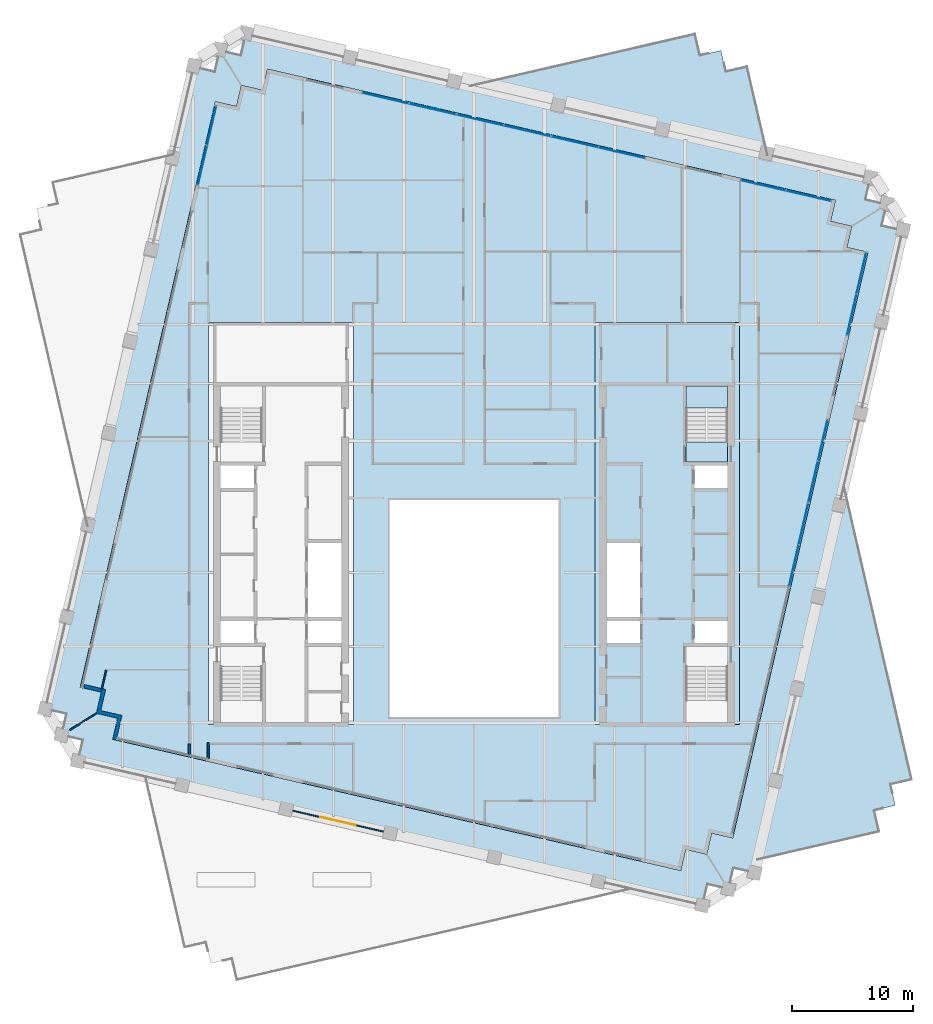
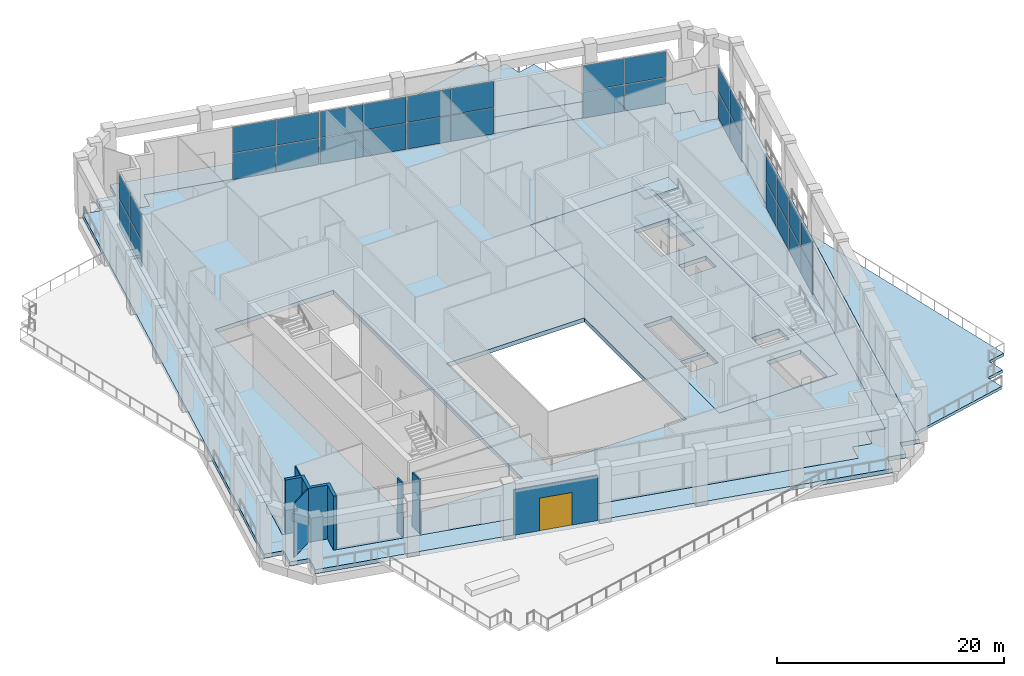
# One storey, part 11 of 21: 32 plates, 8 slabs, 6 walls, 1 door, 1 opening, 9 elements without a shape of their own.
"""IFC4 building model written with IfcOpenShell, lengths in metres."""

from ifc_helpers import new_model, si_unit, direction, frame, frame_2d, origin, origin_2d, place, context, subcontext, project, spatial, polyline, rectangle, outline, extrude, material, layer, layer_set, type_object, element, fill, aggregate, save


model = new_model("IFC4")

# Units and contexts
model_context = context("Model", 3, precision=1e-05, world=origin(), true_north=direction((0.0, 1.0)))
body_context = subcontext(model_context, "Body", "Model", "MODEL_VIEW")
ifc_project = project(units=[si_unit("LENGTHUNIT", "METRE"), si_unit("AREAUNIT", "SQUARE_METRE"), si_unit("VOLUMEUNIT", "CUBIC_METRE"), si_unit("PLANEANGLEUNIT", "RADIAN"), si_unit("MASSUNIT", "GRAM", prefix="KILO")], contexts=[model_context])

# Site, building, storey
site_placement = place(None, origin())
site = spatial("IfcSite", under=ifc_project, at=site_placement, CompositionType="ELEMENT")
building_placement = place(site_placement, origin())
building = spatial("IfcBuilding", under=site, at=building_placement, Name="Ogive Exchange Tower", CompositionType="ELEMENT")
storey_placement = place(building_placement, frame((0.0, 0.0, 237.0)))
storey = spatial("IfcBuildingStorey", under=building, at=storey_placement, Name="L51", CompositionType="ELEMENT", Elevation=237.0)

# Slab
ifc_material_1 = material(Name="Concrete C70/85", Category="concrete")
ifc_layer_1 = layer(ifc_material_1, 0.449951171875)
ifc_layer_set_1 = layer_set([ifc_layer_1], Name="Core floor slab 450")
slab_type_1 = type_object("IfcSlabType", Name="Core floor slab 450", PredefinedType="FLOOR", material=ifc_layer_set_1)
slab_1_placement = place(storey_placement, frame((0.0, 0.0, -0.449951171875)))
element("IfcSlab", 1, at=slab_1_placement, inside=storey, type_object=slab_type_1, Name="Core floor slab", PredefinedType="FLOOR", context=body_context, shape_type="SweptSolid", body=[
    extrude(outline(polyline([(10.0, -2.60009765625), (10.0, 30.699951171875), (22.0, 30.699951171875), (22.0, -2.60009765625), (10.0, -2.60009765625)]), holes=[polyline([(21.0, 2.196044921875), (17.550048828125, 2.196044921875), (17.550048828125, -2.449951171875), (21.0, -2.449951171875), (21.0, 2.196044921875)]), polyline([(13.75, 5.992919921875), (11.0, 5.992919921875), (11.0, 4.14990234375), (13.75, 4.14990234375), (13.75, 5.992919921875)]), polyline([(21.0, 5.992919921875), (18.25, 5.992919921875), (18.25, 4.14990234375), (21.0, 4.14990234375), (21.0, 5.992919921875)]), polyline([(11.0, 12.42138671875), (11.0, 6.29296875), (13.75, 6.29296875), (13.75, 12.42138671875), (11.0, 12.42138671875)]), polyline([(21.0, 18.85009765625), (18.25, 18.85009765625), (18.25, 17.007080078125), (21.0, 17.007080078125), (21.0, 18.85009765625)]), polyline([(17.550048828125, 25.449951171875), (17.550048828125, 20.803955078125), (21.0, 20.803955078125), (21.0, 25.449951171875), (17.550048828125, 25.449951171875)])]), origin(), (0.0, 0.0, 1.0), 0.449951171875),
])

# Curtain wall, plates
ifc_material_2 = material(Name="Anodised aluminium and clear glass", Category="aluminium")
curtain_wall_type = type_object("IfcCurtainWallType", Name="Winter garden glazing", PredefinedType="NOTDEFINED", material=ifc_material_2)
curtain_wall_1_placement = place(storey_placement, origin())
curtain_wall_1 = element("IfcCurtainWall", 2, at=curtain_wall_1_placement, inside=storey, type_object=curtain_wall_type, Name="Winter garden glazing run G10", PredefinedType="NOTDEFINED")
ifc_material_3 = material(Name="Clear glass", Category="glass")
ifc_layer_2 = layer(ifc_material_3, 0.035888671875)
ifc_layer_set_2 = layer_set([ifc_layer_2], Name="Laminated clear glass panel 36")
plate_type = type_object("IfcPlateType", Name="Laminated clear glass panel 36", PredefinedType="CURTAIN_PANEL", material=ifc_layer_set_2)
plate_1_placement = place(storey_placement, frame((26.4970703125, 10.577880859375, 0.080078125), z_axis=(0.0, 0.0, 1.0), x_axis=(0.224957031035, 0.974368684938, 0.0)))
plate_1 = element("IfcPlate", 3, at=plate_1_placement, type_object=plate_type, Name="G10 panel 1.1", PredefinedType="CURTAIN_PANEL", context=body_context, shape_type="SweptSolid", body=[
    extrude(rectangle(XDim=3.43701171875, YDim=0.035888671875, at=origin_2d()), origin(), (0.0, 0.0, 1.0), 2.780029296875),
])
plate_2_placement = place(storey_placement, frame((26.4970703125, 10.577880859375, 2.93994140625), z_axis=(0.0, 0.0, 1.0), x_axis=(0.224957031035, 0.974368684938, 0.0)))
plate_2 = element("IfcPlate", 4, at=plate_2_placement, type_object=plate_type, Name="G10 panel 1.2", PredefinedType="CURTAIN_PANEL", context=body_context, shape_type="SweptSolid", body=[
    extrude(rectangle(XDim=3.43701171875, YDim=0.035888671875, at=origin_2d()), origin(), (0.0, 0.0, 1.0), 2.780029296875),
])
plate_3_placement = place(storey_placement, frame((27.2880859375, 14.0048828125, 0.080078125), z_axis=(0.0, 0.0, 1.0), x_axis=(0.224957031035, 0.974368684938, 0.0)))
plate_3 = element("IfcPlate", 5, at=plate_3_placement, type_object=plate_type, Name="G10 panel 2.1", PredefinedType="CURTAIN_PANEL", context=body_context, shape_type="SweptSolid", body=[
    extrude(rectangle(XDim=3.43701171875, YDim=0.035888671875, at=origin_2d()), origin(), (0.0, 0.0, 1.0), 2.780029296875),
])
plate_4_placement = place(storey_placement, frame((27.2880859375, 14.0048828125, 2.93994140625), z_axis=(0.0, 0.0, 1.0), x_axis=(0.224957031035, 0.974368684938, 0.0)))
plate_4 = element("IfcPlate", 6, at=plate_4_placement, type_object=plate_type, Name="G10 panel 2.2", PredefinedType="CURTAIN_PANEL", context=body_context, shape_type="SweptSolid", body=[
    extrude(rectangle(XDim=3.43701171875, YDim=0.035888671875, at=origin_2d()), origin(), (0.0, 0.0, 1.0), 2.780029296875),
])
aggregate(curtain_wall_1, [plate_1, plate_2, plate_3, plate_4])

curtain_wall_2_placement = place(storey_placement, origin())
curtain_wall_2 = element("IfcCurtainWall", 7, at=curtain_wall_2_placement, inside=storey, type_object=curtain_wall_type, Name="Winter garden glazing run G11", PredefinedType="NOTDEFINED")
plate_5_placement = place(storey_placement, frame((28.097412109375, 17.509765625, 0.080078125), z_axis=(0.0, 0.0, 1.0), x_axis=(0.224953950051, 0.974369396254, 0.0)))
plate_5 = element("IfcPlate", 8, at=plate_5_placement, type_object=plate_type, Name="G11 panel 1.1", PredefinedType="CURTAIN_PANEL", context=body_context, shape_type="SweptSolid", body=[
    extrude(rectangle(XDim=3.437255859375, YDim=0.035888671875, at=origin_2d()), origin(), (0.0, 0.0, 1.0), 2.780029296875),
])
plate_6_placement = place(storey_placement, frame((28.097412109375, 17.509765625, 2.93994140625), z_axis=(0.0, 0.0, 1.0), x_axis=(0.224953950051, 0.974369396254, 0.0)))
plate_6 = element("IfcPlate", 9, at=plate_6_placement, type_object=plate_type, Name="G11 panel 1.2", PredefinedType="CURTAIN_PANEL", context=body_context, shape_type="SweptSolid", body=[
    extrude(rectangle(XDim=3.437255859375, YDim=0.035888671875, at=origin_2d()), origin(), (0.0, 0.0, 1.0), 2.780029296875),
])
plate_7_placement = place(storey_placement, frame((28.888671875, 20.936767578125, 0.080078125), z_axis=(0.0, 0.0, 1.0), x_axis=(0.224953950051, 0.974369396254, 0.0)))
plate_7 = element("IfcPlate", 10, at=plate_7_placement, type_object=plate_type, Name="G11 panel 2.1", PredefinedType="CURTAIN_PANEL", context=body_context, shape_type="SweptSolid", body=[
    extrude(rectangle(XDim=3.437255859375, YDim=0.035888671875, at=origin_2d()), origin(), (0.0, 0.0, 1.0), 2.780029296875),
])
plate_8_placement = place(storey_placement, frame((28.888671875, 20.936767578125, 2.93994140625), z_axis=(0.0, 0.0, 1.0), x_axis=(0.224953950051, 0.974369396254, 0.0)))
plate_8 = element("IfcPlate", 11, at=plate_8_placement, type_object=plate_type, Name="G11 panel 2.2", PredefinedType="CURTAIN_PANEL", context=body_context, shape_type="SweptSolid", body=[
    extrude(rectangle(XDim=3.437255859375, YDim=0.035888671875, at=origin_2d()), origin(), (0.0, 0.0, 1.0), 2.780029296875),
])
aggregate(curtain_wall_2, [plate_5, plate_6, plate_7, plate_8])

curtain_wall_3_placement = place(storey_placement, origin())
curtain_wall_3 = element("IfcCurtainWall", 12, at=curtain_wall_3_placement, inside=storey, type_object=curtain_wall_type, Name="Winter garden glazing run G13", PredefinedType="NOTDEFINED")
plate_9_placement = place(storey_placement, frame((31.298095703125, 31.373779296875, 0.080078125), z_axis=(0.0, 0.0, 1.0), x_axis=(0.224953950051, 0.974369396254, 0.0)))
plate_9 = element("IfcPlate", 13, at=plate_9_placement, type_object=plate_type, Name="G13 panel 1.1", PredefinedType="CURTAIN_PANEL", context=body_context, shape_type="SweptSolid", body=[
    extrude(rectangle(XDim=3.437255859375, YDim=0.035888671875, at=origin_2d()), origin(), (0.0, 0.0, 1.0), 2.780029296875),
])
plate_10_placement = place(storey_placement, frame((31.298095703125, 31.373779296875, 2.93994140625), z_axis=(0.0, 0.0, 1.0), x_axis=(0.224953950051, 0.974369396254, 0.0)))
plate_10 = element("IfcPlate", 14, at=plate_10_placement, type_object=plate_type, Name="G13 panel 1.2", PredefinedType="CURTAIN_PANEL", context=body_context, shape_type="SweptSolid", body=[
    extrude(rectangle(XDim=3.437255859375, YDim=0.035888671875, at=origin_2d()), origin(), (0.0, 0.0, 1.0), 2.780029296875),
])
plate_11_placement = place(storey_placement, frame((32.08935546875, 34.80078125, 0.080078125), z_axis=(0.0, 0.0, 1.0), x_axis=(0.224953950051, 0.974369396254, 0.0)))
plate_11 = element("IfcPlate", 15, at=plate_11_placement, type_object=plate_type, Name="G13 panel 2.1", PredefinedType="CURTAIN_PANEL", context=body_context, shape_type="SweptSolid", body=[
    extrude(rectangle(XDim=3.437255859375, YDim=0.035888671875, at=origin_2d()), origin(), (0.0, 0.0, 1.0), 2.780029296875),
])
plate_12_placement = place(storey_placement, frame((32.08935546875, 34.80078125, 2.93994140625), z_axis=(0.0, 0.0, 1.0), x_axis=(0.224953950051, 0.974369396254, 0.0)))
plate_12 = element("IfcPlate", 16, at=plate_12_placement, type_object=plate_type, Name="G13 panel 2.2", PredefinedType="CURTAIN_PANEL", context=body_context, shape_type="SweptSolid", body=[
    extrude(rectangle(XDim=3.437255859375, YDim=0.035888671875, at=origin_2d()), origin(), (0.0, 0.0, 1.0), 2.780029296875),
])
aggregate(curtain_wall_3, [plate_9, plate_10, plate_11, plate_12])

curtain_wall_4_placement = place(storey_placement, origin())
curtain_wall_4 = element("IfcCurtainWall", 17, at=curtain_wall_4_placement, inside=storey, type_object=curtain_wall_type, Name="Winter garden glazing run G14", PredefinedType="NOTDEFINED")
plate_13_placement = place(storey_placement, frame((27.708740234375, 41.19873046875, 0.080078125), z_axis=(0.0, 0.0, 1.0), x_axis=(-0.974369444232, 0.224953742238, 0.0)))
plate_13 = element("IfcPlate", 18, at=plate_13_placement, type_object=plate_type, Name="G14 panel 1.1", PredefinedType="CURTAIN_PANEL", context=body_context, shape_type="SweptSolid", body=[
    extrude(rectangle(XDim=3.755126953125, YDim=0.035888671875, at=origin_2d()), origin(), (0.0, 0.0, 1.0), 2.780029296875),
])
plate_14_placement = place(storey_placement, frame((27.708740234375, 41.19873046875, 2.93994140625), z_axis=(0.0, 0.0, 1.0), x_axis=(-0.974369444232, 0.224953742238, 0.0)))
plate_14 = element("IfcPlate", 19, at=plate_14_placement, type_object=plate_type, Name="G14 panel 1.2", PredefinedType="CURTAIN_PANEL", context=body_context, shape_type="SweptSolid", body=[
    extrude(rectangle(XDim=3.755126953125, YDim=0.035888671875, at=origin_2d()), origin(), (0.0, 0.0, 1.0), 2.780029296875),
])
plate_15_placement = place(storey_placement, frame((23.971923828125, 42.061279296875, 0.080078125), z_axis=(0.0, 0.0, 1.0), x_axis=(-0.974369444232, 0.224953742238, 0.0)))
plate_15 = element("IfcPlate", 20, at=plate_15_placement, type_object=plate_type, Name="G14 panel 2.1", PredefinedType="CURTAIN_PANEL", context=body_context, shape_type="SweptSolid", body=[
    extrude(rectangle(XDim=3.755126953125, YDim=0.035888671875, at=origin_2d()), origin(), (0.0, 0.0, 1.0), 2.780029296875),
])
plate_16_placement = place(storey_placement, frame((23.971923828125, 42.061279296875, 2.93994140625), z_axis=(0.0, 0.0, 1.0), x_axis=(-0.974369444232, 0.224953742238, 0.0)))
plate_16 = element("IfcPlate", 21, at=plate_16_placement, type_object=plate_type, Name="G14 panel 2.2", PredefinedType="CURTAIN_PANEL", context=body_context, shape_type="SweptSolid", body=[
    extrude(rectangle(XDim=3.755126953125, YDim=0.035888671875, at=origin_2d()), origin(), (0.0, 0.0, 1.0), 2.780029296875),
])
aggregate(curtain_wall_4, [plate_13, plate_14, plate_15, plate_16])

curtain_wall_5_placement = place(storey_placement, origin())
curtain_wall_5 = element("IfcCurtainWall", 22, at=curtain_wall_5_placement, inside=storey, type_object=curtain_wall_type, Name="Winter garden glazing run G16", PredefinedType="NOTDEFINED")
plate_17_placement = place(storey_placement, frame((12.24072265625, 44.769775390625, 0.080078125), z_axis=(0.0, 0.0, 1.0), x_axis=(-0.974368369632, 0.224958396731, 0.0)))
plate_17 = element("IfcPlate", 23, at=plate_17_placement, type_object=plate_type, Name="G16 panel 1.1", PredefinedType="CURTAIN_PANEL", context=body_context, shape_type="SweptSolid", body=[
    extrude(rectangle(XDim=3.905029296875, YDim=0.035888671875, at=origin_2d()), origin(), (0.0, 0.0, 1.0), 2.780029296875),
])
plate_18_placement = place(storey_placement, frame((12.24072265625, 44.769775390625, 2.93994140625), z_axis=(0.0, 0.0, 1.0), x_axis=(-0.974368369632, 0.224958396731, 0.0)))
plate_18 = element("IfcPlate", 24, at=plate_18_placement, type_object=plate_type, Name="G16 panel 1.2", PredefinedType="CURTAIN_PANEL", context=body_context, shape_type="SweptSolid", body=[
    extrude(rectangle(XDim=3.905029296875, YDim=0.035888671875, at=origin_2d()), origin(), (0.0, 0.0, 1.0), 2.780029296875),
])
plate_19_placement = place(storey_placement, frame((8.357666015625, 45.666259765625, 0.080078125), z_axis=(0.0, 0.0, 1.0), x_axis=(-0.974368369632, 0.224958396731, 0.0)))
plate_19 = element("IfcPlate", 25, at=plate_19_placement, type_object=plate_type, Name="G16 panel 2.1", PredefinedType="CURTAIN_PANEL", context=body_context, shape_type="SweptSolid", body=[
    extrude(rectangle(XDim=3.905029296875, YDim=0.035888671875, at=origin_2d()), origin(), (0.0, 0.0, 1.0), 2.780029296875),
])
plate_20_placement = place(storey_placement, frame((8.357666015625, 45.666259765625, 2.93994140625), z_axis=(0.0, 0.0, 1.0), x_axis=(-0.974368369632, 0.224958396731, 0.0)))
plate_20 = element("IfcPlate", 26, at=plate_20_placement, type_object=plate_type, Name="G16 panel 2.2", PredefinedType="CURTAIN_PANEL", context=body_context, shape_type="SweptSolid", body=[
    extrude(rectangle(XDim=3.905029296875, YDim=0.035888671875, at=origin_2d()), origin(), (0.0, 0.0, 1.0), 2.780029296875),
])
aggregate(curtain_wall_5, [plate_17, plate_18, plate_19, plate_20])

curtain_wall_6_placement = place(storey_placement, origin())
curtain_wall_6 = element("IfcCurtainWall", 27, at=curtain_wall_6_placement, inside=storey, type_object=curtain_wall_type, Name="Winter garden glazing run G17", PredefinedType="NOTDEFINED")
plate_21_placement = place(storey_placement, frame((4.39697265625, 46.58056640625, 0.080078125), z_axis=(0.0, 0.0, 1.0), x_axis=(-0.974371721058, 0.224943880116, 0.0)))
plate_21 = element("IfcPlate", 28, at=plate_21_placement, type_object=plate_type, Name="G17 panel 1.1", PredefinedType="CURTAIN_PANEL", context=body_context, shape_type="SweptSolid", body=[
    extrude(rectangle(XDim=3.905029296875, YDim=0.035888671875, at=origin_2d()), origin(), (0.0, 0.0, 1.0), 2.780029296875),
])
plate_22_placement = place(storey_placement, frame((4.39697265625, 46.58056640625, 2.93994140625), z_axis=(0.0, 0.0, 1.0), x_axis=(-0.974371721058, 0.224943880116, 0.0)))
plate_22 = element("IfcPlate", 29, at=plate_22_placement, type_object=plate_type, Name="G17 panel 1.2", PredefinedType="CURTAIN_PANEL", context=body_context, shape_type="SweptSolid", body=[
    extrude(rectangle(XDim=3.905029296875, YDim=0.035888671875, at=origin_2d()), origin(), (0.0, 0.0, 1.0), 2.780029296875),
])
plate_23_placement = place(storey_placement, frame((0.51416015625, 47.47705078125, 0.080078125), z_axis=(0.0, 0.0, 1.0), x_axis=(-0.974371721058, 0.224943880116, 0.0)))
plate_23 = element("IfcPlate", 30, at=plate_23_placement, type_object=plate_type, Name="G17 panel 2.1", PredefinedType="CURTAIN_PANEL", context=body_context, shape_type="SweptSolid", body=[
    extrude(rectangle(XDim=3.905029296875, YDim=0.035888671875, at=origin_2d()), origin(), (0.0, 0.0, 1.0), 2.780029296875),
])
plate_24_placement = place(storey_placement, frame((0.51416015625, 47.47705078125, 2.93994140625), z_axis=(0.0, 0.0, 1.0), x_axis=(-0.974371721058, 0.224943880116, 0.0)))
plate_24 = element("IfcPlate", 31, at=plate_24_placement, type_object=plate_type, Name="G17 panel 2.2", PredefinedType="CURTAIN_PANEL", context=body_context, shape_type="SweptSolid", body=[
    extrude(rectangle(XDim=3.905029296875, YDim=0.035888671875, at=origin_2d()), origin(), (0.0, 0.0, 1.0), 2.780029296875),
])
aggregate(curtain_wall_6, [plate_21, plate_22, plate_23, plate_24])

curtain_wall_7_placement = place(storey_placement, origin())
curtain_wall_7 = element("IfcCurtainWall", 32, at=curtain_wall_7_placement, inside=storey, type_object=curtain_wall_type, Name="Winter garden glazing run G18", PredefinedType="NOTDEFINED")
plate_25_placement = place(storey_placement, frame((-3.44677734375, 48.391357421875, 0.080078125), z_axis=(0.0, 0.0, 1.0), x_axis=(-0.974368998279, 0.224955673842, 0.0)))
plate_25 = element("IfcPlate", 33, at=plate_25_placement, type_object=plate_type, Name="G18 panel 1.1", PredefinedType="CURTAIN_PANEL", context=body_context, shape_type="SweptSolid", body=[
    extrude(rectangle(XDim=3.905029296875, YDim=0.035888671875, at=origin_2d()), origin(), (0.0, 0.0, 1.0), 2.780029296875),
])
plate_26_placement = place(storey_placement, frame((-3.44677734375, 48.391357421875, 2.93994140625), z_axis=(0.0, 0.0, 1.0), x_axis=(-0.974368998279, 0.224955673842, 0.0)))
plate_26 = element("IfcPlate", 34, at=plate_26_placement, type_object=plate_type, Name="G18 panel 1.2", PredefinedType="CURTAIN_PANEL", context=body_context, shape_type="SweptSolid", body=[
    extrude(rectangle(XDim=3.905029296875, YDim=0.035888671875, at=origin_2d()), origin(), (0.0, 0.0, 1.0), 2.780029296875),
])
plate_27_placement = place(storey_placement, frame((-7.32958984375, 49.287841796875, 0.080078125), z_axis=(0.0, 0.0, 1.0), x_axis=(-0.974368998279, 0.224955673842, 0.0)))
plate_27 = element("IfcPlate", 35, at=plate_27_placement, type_object=plate_type, Name="G18 panel 2.1", PredefinedType="CURTAIN_PANEL", context=body_context, shape_type="SweptSolid", body=[
    extrude(rectangle(XDim=3.905029296875, YDim=0.035888671875, at=origin_2d()), origin(), (0.0, 0.0, 1.0), 2.780029296875),
])
plate_28_placement = place(storey_placement, frame((-7.32958984375, 49.287841796875, 2.93994140625), z_axis=(0.0, 0.0, 1.0), x_axis=(-0.974368998279, 0.224955673842, 0.0)))
plate_28 = element("IfcPlate", 36, at=plate_28_placement, type_object=plate_type, Name="G18 panel 2.2", PredefinedType="CURTAIN_PANEL", context=body_context, shape_type="SweptSolid", body=[
    extrude(rectangle(XDim=3.905029296875, YDim=0.035888671875, at=origin_2d()), origin(), (0.0, 0.0, 1.0), 2.780029296875),
])
aggregate(curtain_wall_7, [plate_25, plate_26, plate_27, plate_28])

curtain_wall_8_placement = place(storey_placement, origin())
curtain_wall_8 = element("IfcCurtainWall", 37, at=curtain_wall_8_placement, inside=storey, type_object=curtain_wall_type, Name="Winter garden glazing run G20", PredefinedType="NOTDEFINED")
plate_29_placement = place(storey_placement, frame((-21.74658203125, 46.998779296875, 0.080078125), z_axis=(0.0, 0.0, 1.0), x_axis=(-0.224951677306, -0.974369920963, 0.0)))
plate_29 = element("IfcPlate", 38, at=plate_29_placement, type_object=plate_type, Name="G20 panel 1.1", PredefinedType="CURTAIN_PANEL", context=body_context, shape_type="SweptSolid", body=[
    extrude(rectangle(XDim=3.287109375, YDim=0.035888671875, at=origin_2d()), origin(), (0.0, 0.0, 1.0), 2.780029296875),
])
plate_30_placement = place(storey_placement, frame((-21.74658203125, 46.998779296875, 2.93994140625), z_axis=(0.0, 0.0, 1.0), x_axis=(-0.224951677306, -0.974369920963, 0.0)))
plate_30 = element("IfcPlate", 39, at=plate_30_placement, type_object=plate_type, Name="G20 panel 1.2", PredefinedType="CURTAIN_PANEL", context=body_context, shape_type="SweptSolid", body=[
    extrude(rectangle(XDim=3.287109375, YDim=0.035888671875, at=origin_2d()), origin(), (0.0, 0.0, 1.0), 2.780029296875),
])
plate_31_placement = place(storey_placement, frame((-22.50390625, 43.718017578125, 0.080078125), z_axis=(0.0, 0.0, 1.0), x_axis=(-0.224951677306, -0.974369920963, 0.0)))
plate_31 = element("IfcPlate", 40, at=plate_31_placement, type_object=plate_type, Name="G20 panel 2.1", PredefinedType="CURTAIN_PANEL", context=body_context, shape_type="SweptSolid", body=[
    extrude(rectangle(XDim=3.287109375, YDim=0.035888671875, at=origin_2d()), origin(), (0.0, 0.0, 1.0), 2.780029296875),
])
plate_32_placement = place(storey_placement, frame((-22.50390625, 43.718017578125, 2.93994140625), z_axis=(0.0, 0.0, 1.0), x_axis=(-0.224951677306, -0.974369920963, 0.0)))
plate_32 = element("IfcPlate", 41, at=plate_32_placement, type_object=plate_type, Name="G20 panel 2.2", PredefinedType="CURTAIN_PANEL", context=body_context, shape_type="SweptSolid", body=[
    extrude(rectangle(XDim=3.287109375, YDim=0.035888671875, at=origin_2d()), origin(), (0.0, 0.0, 1.0), 2.780029296875),
])
aggregate(curtain_wall_8, [plate_29, plate_30, plate_31, plate_32])

# Slab
ifc_material_4 = material(Name="Concrete C50/60", Category="concrete")
ifc_layer_3 = layer(ifc_material_4, 0.449951171875)
ifc_layer_set_3 = layer_set([ifc_layer_3], Name="Loggia deck 450")
slab_type_2 = type_object("IfcSlabType", Name="Loggia deck 450", PredefinedType="FLOOR", material=ifc_layer_set_3)
slab_2_placement = place(storey_placement, frame((0.0, 0.0, -0.449951171875)))
element("IfcSlab", 42, at=slab_2_placement, inside=storey, type_object=slab_type_2, Name="Loggia deck", PredefinedType="FLOOR", context=body_context, shape_type="SweptSolid", body=[
    extrude(outline(polyline([(-34.16943359375, -3.476806640625), (-33.7646484375, -1.722900390625), (-35.518310546875, -1.318115234375), (-23.236083984375, 51.882568359375), (-21.482177734375, 51.477783203125), (-21.077392578125, 53.2314453125), (-19.323486328125, 52.82666015625), (-18.91845703125, 54.58056640625), (32.820556640625, 42.635498046875), (32.41552734375, 40.881591796875), (34.16943359375, 40.476806640625), (33.7646484375, 38.722900390625), (35.518310546875, 38.318115234375), (23.236083984375, -14.882568359375), (21.482177734375, -14.477783203125), (21.077392578125, -16.2314453125), (19.323486328125, -15.82666015625), (18.91845703125, -17.58056640625), (-32.820556640625, -5.635498046875), (-32.41552734375, -3.881591796875), (-34.16943359375, -3.476806640625)]), holes=[polyline([(17.52490234375, -12.9482421875), (19.27880859375, -13.353271484375), (19.68359375, -11.599365234375), (21.4375, -12.004150390625), (32.64013671875, 36.519287109375), (30.88623046875, 36.92431640625), (31.291015625, 38.67822265625), (29.537109375, 39.0830078125), (29.942138671875, 40.8369140625), (-17.119873046875, 51.7021484375), (-17.52490234375, 49.9482421875), (-19.27880859375, 50.353271484375), (-19.68359375, 48.599365234375), (-21.4375, 49.004150390625), (-32.64013671875, 0.480712890625), (-30.88623046875, 0.07568359375), (-31.291015625, -1.67822265625), (-29.537109375, -2.0830078125), (-29.942138671875, -3.8369140625), (17.119873046875, -14.7021484375), (17.52490234375, -12.9482421875)])]), origin(), (0.0, 0.0, 1.0), 0.449951171875),
])

# Stair, slabs
ifc_material_5 = material(Name="Concrete C40/50", Category="concrete")
stair_type = type_object("IfcStairType", Name="Exit stair 1650 wide", PredefinedType="HALF_TURN_STAIR", material=ifc_material_5)
stair_placement = place(storey_placement, origin())
stair = element("IfcStair", 43, at=stair_placement, inside=storey, type_object=stair_type, Name="L51 exit stair ST4", PredefinedType="HALF_TURN_STAIR")
ifc_layer_4 = layer(ifc_material_5, 0.199951171875)
ifc_layer_set_4 = layer_set([ifc_layer_4], Name="Stair landing 200 slab")
slab_type_3 = type_object("IfcSlabType", Name="Stair landing 200 slab", PredefinedType="LANDING", material=ifc_layer_set_4)
slab_3_placement = place(storey_placement, frame((0.0, 0.0, 1.300048828125)))
slab_3 = element("IfcSlab", 44, at=slab_3_placement, type_object=slab_type_3, Name="ST4 landing 1", PredefinedType="LANDING", context=body_context, shape_type="SweptSolid", body=[
    extrude(outline(polyline([(21.0, 23.60791015625), (21.0, 25.449951171875), (17.550048828125, 25.449951171875), (17.550048828125, 23.60791015625), (21.0, 23.60791015625)])), origin(), (0.0, 0.0, 1.0), 0.199951171875),
])
slab_4_placement = place(storey_placement, frame((0.0, 0.0, 2.800048828125)))
slab_4 = element("IfcSlab", 45, at=slab_4_placement, type_object=slab_type_3, Name="ST4 landing 2", PredefinedType="LANDING", context=body_context, shape_type="SweptSolid", body=[
    extrude(outline(polyline([(21.0, 19.14990234375), (21.0, 20.800048828125), (17.550048828125, 20.800048828125), (17.550048828125, 19.14990234375), (21.0, 19.14990234375)])), origin(), (0.0, 0.0, 1.0), 0.199951171875),
])
slab_5_placement = place(storey_placement, frame((0.0, 0.0, 4.300048828125)))
slab_5 = element("IfcSlab", 46, at=slab_5_placement, type_object=slab_type_3, Name="ST4 landing 3", PredefinedType="LANDING", context=body_context, shape_type="SweptSolid", body=[
    extrude(outline(polyline([(21.0, 23.60791015625), (21.0, 25.449951171875), (17.550048828125, 25.449951171875), (17.550048828125, 23.60791015625), (21.0, 23.60791015625)])), origin(), (0.0, 0.0, 1.0), 0.199951171875),
])
aggregate(stair, [slab_3, slab_4, slab_5])

# Slabs
ifc_layer_5 = layer(ifc_material_4, 0.300048828125)
ifc_layer_set_5 = layer_set([ifc_layer_5], Name="Terrace deck 300")
slab_type_4 = type_object("IfcSlabType", Name="Terrace deck 300", PredefinedType="FLOOR", material=ifc_layer_set_5)
slab_6_placement = place(storey_placement, frame((0.0, 0.0, -0.300048828125)))
element("IfcSlab", 47, at=slab_6_placement, inside=storey, type_object=slab_type_4, Name="Terrace deck", PredefinedType="FLOOR", context=body_context, shape_type="SweptSolid", body=[
    extrude(outline(polyline([(34.495361328125, -7.55419921875), (34.900146484375, -9.30810546875), (33.146484375, -9.712890625), (33.55126953125, -11.466796875), (23.48828125, -13.7900390625), (26.359619140625, -1.352783203125), (30.63525390625, 17.1669921875), (36.249267578125, -7.1494140625), (34.495361328125, -7.55419921875)])), origin(), (0.0, 0.0, 1.0), 0.300048828125),
])
slab_7_placement = place(storey_placement, frame((0.0, 0.0, -0.300048828125)))
element("IfcSlab", 48, at=slab_7_placement, inside=storey, type_object=slab_type_4, Name="Terrace deck", PredefinedType="FLOOR", context=body_context, shape_type="SweptSolid", body=[
    extrude(outline(polyline([(18.70458984375, 52.841552734375), (20.45849609375, 53.24658203125), (20.86328125, 51.49267578125), (22.6171875, 51.8974609375), (24.301513671875, 44.602294921875), (-0.341796875, 50.291748046875), (18.299560546875, 54.595458984375), (18.70458984375, 52.841552734375)])), origin(), (0.0, 0.0, 1.0), 0.300048828125),
])
ifc_layer_6 = layer(ifc_material_4, 0.449951171875)
ifc_layer_set_6 = layer_set([ifc_layer_6], Name="Transfer floor slab 450")
slab_type_5 = type_object("IfcSlabType", Name="Transfer floor slab 450", PredefinedType="FLOOR", material=ifc_layer_set_6)
slab_8_placement = place(storey_placement, frame((0.0, 0.0, -0.449951171875)))
element("IfcSlab", 49, at=slab_8_placement, inside=storey, type_object=slab_type_5, Name="Transfer floor slab", PredefinedType="FLOOR", context=body_context, shape_type="SweptSolid", body=[
    extrude(outline(polyline([(-29.537109375, -2.0830078125), (-31.291015625, -1.67822265625), (-30.88623046875, 0.07568359375), (-32.64013671875, 0.480712890625), (-21.4375, 49.004150390625), (-19.68359375, 48.599365234375), (-19.27880859375, 50.353271484375), (-17.52490234375, 49.9482421875), (-17.119873046875, 51.7021484375), (29.942138671875, 40.8369140625), (29.537109375, 39.0830078125), (31.291015625, 38.67822265625), (30.88623046875, 36.92431640625), (32.64013671875, 36.519287109375), (21.4375, -12.004150390625), (19.68359375, -11.599365234375), (19.27880859375, -13.353271484375), (17.52490234375, -12.9482421875), (17.119873046875, -14.7021484375), (-29.942138671875, -3.8369140625), (-29.537109375, -2.0830078125)]), holes=[polyline([(7.0, -2.0), (7.0, 16.0), (-7.0, 16.0), (-7.0, -2.0), (7.0, -2.0)]), polyline([(-22.0, -2.60009765625), (-10.0, -2.60009765625), (-10.0, 30.699951171875), (-22.0, 30.699951171875), (-22.0, -2.60009765625)]), polyline([(10.0, -2.60009765625), (22.0, -2.60009765625), (22.0, 30.699951171875), (10.0, 30.699951171875), (10.0, -2.60009765625)])]), origin(), (0.0, 0.0, 1.0), 0.449951171875),
])

# Walls
ifc_material_6 = material(Name="Fire partition EI 60 150")
ifc_layer_7 = layer(ifc_material_6, 0.14990234375)
ifc_layer_set_7 = layer_set([ifc_layer_7], Name="Fire partition EI 60 150")
wall_type_1 = type_object("IfcWallType", Name="Fire partition EI 60 150", PredefinedType="PARTITIONING", material=ifc_layer_set_7)
wall_1_placement = place(storey_placement, frame((-23.590087890625, -5.077880859375, 0.0), z_axis=(0.0, 0.0, 1.0), x_axis=(0.0, 1.0, 0.0)))
element("IfcWall", 50, at=wall_1_placement, inside=storey, type_object=wall_type_1, Name="L51-PWL-008", PredefinedType="PARTITIONING", context=body_context, shape_type="SweptSolid", body=[
    extrude(rectangle(XDim=0.8779296875, YDim=0.14990234375, at=frame_2d((0.43896484375, 0.0))), origin(), (0.0, 0.0, 1.0), 5.800048828125),
])
wall_2_placement = place(storey_placement, frame((-22.030029296875, -4.125, 0.0), z_axis=(0.0, 0.0, 1.0), x_axis=(0.0, -1.0, 0.0)))
element("IfcWall", 51, at=wall_2_placement, inside=storey, type_object=wall_type_1, Name="L51-PWL-009", PredefinedType="PARTITIONING", context=body_context, shape_type="SweptSolid", body=[
    extrude(rectangle(XDim=1.31298828125, YDim=0.14990234375, at=frame_2d((0.656494140625, 0.0))), origin(), (0.0, 0.0, 1.0), 5.800048828125),
])
ifc_material_7 = material(Name="Precast concrete C40/50", Category="concrete")
ifc_layer_8 = layer(ifc_material_7, 0.300048828125)
ifc_layer_set_8 = layer_set([ifc_layer_8], Name="Limestone-faced wall 300")
wall_type_2 = type_object("IfcWallType", Name="Limestone-faced wall 300", PredefinedType="STANDARD", material=ifc_layer_set_8)
wall_3_placement = place(storey_placement, origin())
element("IfcWall", 52, at=wall_3_placement, inside=storey, type_object=wall_type_2, Name="External corner wall C4", PredefinedType="STANDARD", context=body_context, shape_type="SweptSolid", body=[
    extrude(outline(polyline([(-31.291015625, -1.67822265625), (-30.88623046875, 0.07568359375), (-32.34765625, 0.4130859375), (-32.2802734375, 0.705322265625), (-30.5263671875, 0.300537109375), (-30.931396484375, -1.453369140625), (-29.177490234375, -1.8583984375), (-29.64990234375, -3.904541015625), (-29.942138671875, -3.8369140625), (-29.537109375, -2.0830078125), (-31.291015625, -1.67822265625)])), origin(), (0.0, 0.0, 1.0), 5.800048828125),
])
ifc_material_8 = material(Name="Laminated safety glass in steel frame", Category="steel")
ifc_layer_9 = layer(ifc_material_8, 0.10009765625)
ifc_layer_set_9 = layer_set([ifc_layer_9], Name="Loggia end screen 100")
wall_type_3 = type_object("IfcWallType", Name="Loggia end screen 100", PredefinedType="STANDARD", material=ifc_layer_set_9)
wall_4_placement = place(storey_placement, frame((-31.291015625, -1.67822265625, 0.0), z_axis=(0.0, 0.0, 1.0), x_axis=(-0.84807753525, -0.529872148923, 0.0)))
element("IfcWall", 53, at=wall_4_placement, inside=storey, type_object=wall_type_3, Name="Loggia end screen C4", PredefinedType="STANDARD", context=body_context, shape_type="SweptSolid", body=[
    extrude(rectangle(XDim=2.596435546875, YDim=0.10009765625, at=frame_2d((1.29833984375, 0.0))), origin(), (0.0, 0.0, 1.0), 5.800048828125),
])

# Wall, opening, door
wall_5_placement = place(storey_placement, frame((-15.018798828125, -9.745361328125, 0.0), z_axis=(0.0, 0.0, 1.0), x_axis=(0.974370377867, -0.224949698234, 0.0)))
wall_5 = element("IfcWall", 54, at=wall_5_placement, inside=storey, type_object=wall_type_3, Name="Terrace screen S02", PredefinedType="STANDARD", context=body_context, shape_type="SweptSolid", body=[
    extrude(rectangle(XDim=7.7099609375, YDim=0.10009765625, at=frame_2d((3.85498046875, 0.0))), origin(), (0.0, 0.0, 1.0), 4.85009765625),
])
opening_placement = place(wall_5_placement, frame((2.35498046875, 0.0, 0.0)))
opening = element("IfcOpeningElement", 55, at=opening_placement, cuts=wall_5, Name="Opening D4", PredefinedType="OPENING", context=body_context, shape_type="SweptSolid", body=[
    extrude(rectangle(XDim=3.0, YDim=3.5, at=frame_2d((1.5, 1.75))), frame((0.0, 0.06005859375, 0.0), z_axis=(0.0, -1.0, 0.0), x_axis=(1.0, 0.0, 0.0)), (0.0, 0.0, 1.0), 0.1201171875),
])
ifc_material_9 = material(Name="Clear glass in bronze frame", Category="glass")
door_type = type_object("IfcDoorType", Name="Terrace sliding door 3000 x 3500", OperationType="DOUBLE_DOOR_SLIDING", PredefinedType="DOOR", material=ifc_material_9)
door_placement = place(opening_placement, origin())
door = element("IfcDoor", 56, at=door_placement, inside=storey, type_object=door_type, Name="Terrace door S02", OperationType="DOUBLE_DOOR_SLIDING", OverallHeight=3.5, OverallWidth=3.0, PredefinedType="DOOR", context=body_context, shape_type="SweptSolid", body=[
    extrude(rectangle(XDim=3.0, YDim=3.5, at=frame_2d((1.5, 1.75))), frame((0.0, 0.02490234375, 0.0), z_axis=(0.0, -1.0, 0.0), x_axis=(1.0, 0.0, 0.0)), (0.0, 0.0, 1.0), 0.050048828125),
])
fill(opening, door)

# Wall
ifc_material_10 = material(Name="Partition 100 gypsum")
ifc_layer_10 = layer(ifc_material_10, 0.10009765625)
ifc_layer_set_10 = layer_set([ifc_layer_10], Name="Partition 100 gypsum")
wall_type_4 = type_object("IfcWallType", Name="Partition 100 gypsum", PredefinedType="PARTITIONING", material=ifc_layer_set_10)
wall_6_placement = place(storey_placement, frame((-30.489990234375, 1.8798828125, 0.0), z_axis=(0.0, 0.0, 1.0), x_axis=(-0.222184834458, -0.975004563752, 0.0)))
element("IfcWall", 57, at=wall_6_placement, inside=storey, type_object=wall_type_4, Name="L51-PWL-001", PredefinedType="PARTITIONING", context=body_context, shape_type="SweptSolid", body=[
    extrude(rectangle(XDim=1.647216796875, YDim=0.10009765625, at=frame_2d((0.82373046875, 0.0))), origin(), (0.0, 0.0, 1.0), 5.800048828125),
])

save(model, "model.ifc")
